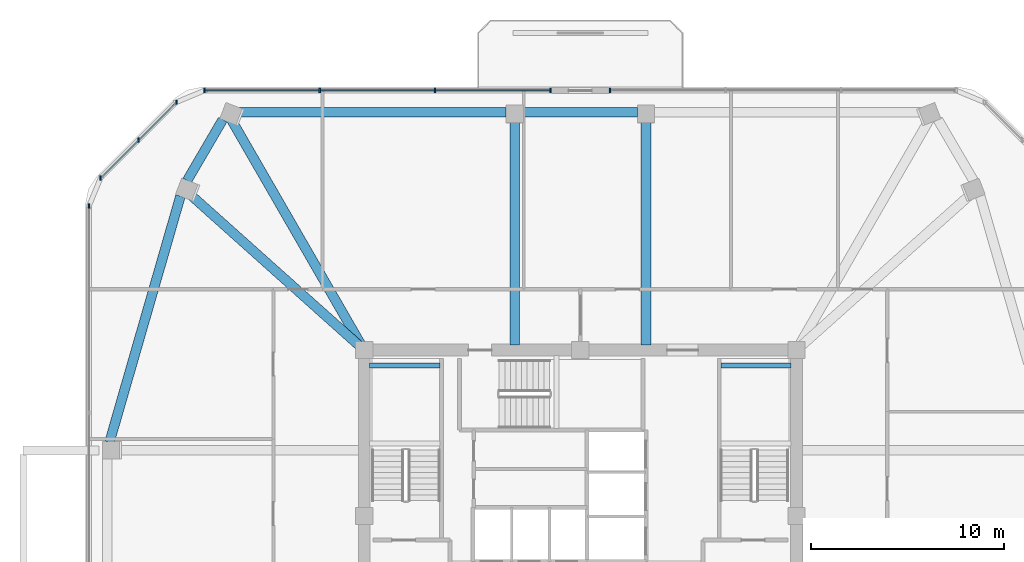
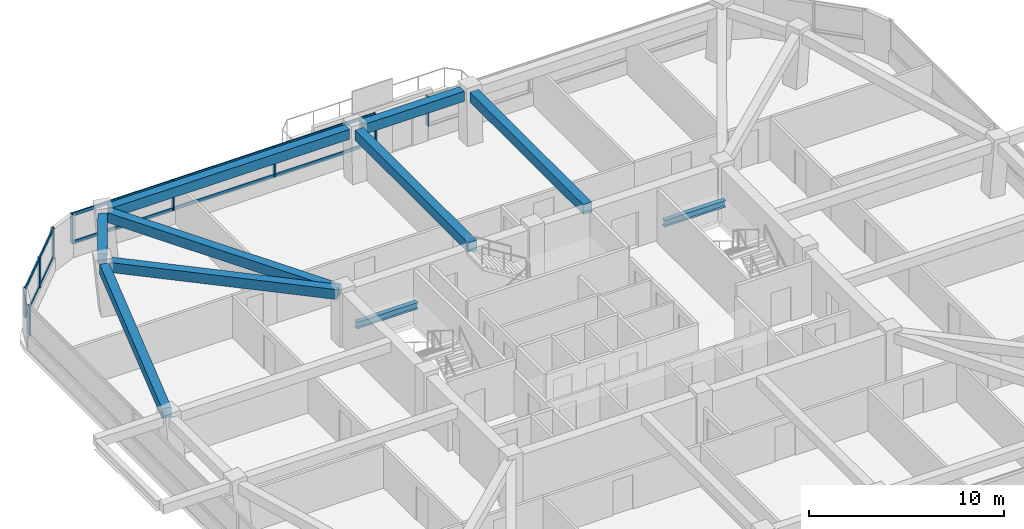
# One storey, part 5 of 12: 13 members, 10 beams, 4 elements without a shape of their own.
"""IFC4 building model written with IfcOpenShell, lengths in metres."""

from ifc_helpers import new_model, si_unit, derived_unit, direction, frame, origin, origin_2d, place, context, subcontext, project, spatial, rectangle, i_section, extrude, material, material_profile, profile_set, type_object, element, aggregate, save


model = new_model("IFC4")

# Units and contexts
model_context = context("Model", 3, precision=1e-05, world=origin(), true_north=direction((0.0, 1.0)))
body_context = subcontext(model_context, "Body", "Model", "MODEL_VIEW")
ifc_project = project(units=[si_unit("LENGTHUNIT", "METRE"), si_unit("AREAUNIT", "SQUARE_METRE"), si_unit("VOLUMEUNIT", "CUBIC_METRE"), si_unit("PLANEANGLEUNIT", "RADIAN"), si_unit("MASSUNIT", "GRAM", prefix="KILO"), derived_unit("THERMALTRANSMITTANCEUNIT", [(si_unit("POWERUNIT", "WATT"), 1), (si_unit("LENGTHUNIT", "METRE"), -2), (si_unit("THERMODYNAMICTEMPERATUREUNIT", "KELVIN"), -1)])], contexts=[model_context])

# Site, building, storey
site_placement = place(None, origin())
site = spatial("IfcSite", under=ifc_project, at=site_placement, CompositionType="ELEMENT")
building_placement = place(site_placement, origin())
building = spatial("IfcBuilding", under=site, at=building_placement, Name="Koralith Skygarden Medical Center", CompositionType="ELEMENT")
storey_placement = place(building_placement, frame((0.0, 0.0, 203.580078125)))
storey = spatial("IfcBuildingStorey", under=building, at=storey_placement, Name="L52", CompositionType="ELEMENT", Elevation=203.580078125)

# Curtain wall, member
ifc_material_1 = material(Name="Clear Laminated Glass", Category="glass")
curtain_wall_type = type_object("IfcCurtainWallType", Name="CW-5 Zone 4 Flare Biophilic Curtain Wall", PredefinedType="NOTDEFINED", material=ifc_material_1)
curtain_wall_1_placement = place(storey_placement, origin())
curtain_wall_1 = element("IfcCurtainWall", 1, at=curtain_wall_1_placement, inside=storey, type_object=curtain_wall_type, Name="Curtain Wall CW-L52-N-L", PredefinedType="NOTDEFINED")
ifc_material_2 = material(Name="Aluminium 6063-T6", Category="aluminium")
ifc_material_profile_1 = material_profile(ifc_material_2, rectangle(XDim=0.080078125, YDim=0.219970703125, at=origin_2d()), Name="MUL80X220")
ifc_profile_set_1 = profile_set([ifc_material_profile_1], Name="Aluminium 6063-T6")
member_type_1 = type_object("IfcMemberType", Name="CW-5 Extruded Mullion 80x220", PredefinedType="MULLION", material=ifc_profile_set_1)
member_1_placement = place(storey_placement, frame((38.5400390625, 47.94091796875, 0.849853515625), z_axis=(0.0, 0.0, 1.0), x_axis=(1.0, 0.0, 0.0)))
member_1 = element("IfcMember", 2, at=member_1_placement, type_object=member_type_1, Name="CW-L52-N-L Mullion 4", PredefinedType="MULLION", context=body_context, shape_type="SweptSolid", body=[
    extrude(rectangle(XDim=0.080078125, YDim=0.219970703125, at=origin_2d()), origin(), (0.0, 0.0, 1.0), 1.840087890625),
])
aggregate(curtain_wall_1, [member_1])

# Curtain wall, members
curtain_wall_2_placement = place(storey_placement, origin())
curtain_wall_2 = element("IfcCurtainWall", 3, at=curtain_wall_2_placement, inside=storey, type_object=curtain_wall_type, Name="Curtain Wall CW-L52-N-R", PredefinedType="NOTDEFINED")
member_2_placement = place(storey_placement, frame((35.4599609375, 47.94091796875, 0.849853515625), z_axis=(0.0, 0.0, 1.0), x_axis=(1.0, 0.0, 0.0)))
member_2 = element("IfcMember", 4, at=member_2_placement, type_object=member_type_1, Name="CW-L52-N-R Mullion 1", PredefinedType="MULLION", context=body_context, shape_type="SweptSolid", body=[
    extrude(rectangle(XDim=0.080078125, YDim=0.219970703125, at=origin_2d()), origin(), (0.0, 0.0, 1.0), 1.840087890625),
])
member_3_placement = place(storey_placement, frame((29.48193359375, 47.94091796875, 0.849853515625), z_axis=(0.0, 0.0, 1.0), x_axis=(1.0, 0.0, 0.0)))
member_3 = element("IfcMember", 5, at=member_3_placement, type_object=member_type_1, Name="CW-L52-N-R Mullion 2", PredefinedType="MULLION", context=body_context, shape_type="SweptSolid", body=[
    extrude(rectangle(XDim=0.080078125, YDim=0.219970703125, at=origin_2d()), origin(), (0.0, 0.0, 1.0), 1.840087890625),
])
member_4_placement = place(storey_placement, frame((23.5029296875, 47.94091796875, 0.849853515625), z_axis=(0.0, 0.0, 1.0), x_axis=(1.0, 0.0, 0.0)))
member_4 = element("IfcMember", 6, at=member_4_placement, type_object=member_type_1, Name="CW-L52-N-R Mullion 3", PredefinedType="MULLION", context=body_context, shape_type="SweptSolid", body=[
    extrude(rectangle(XDim=0.080078125, YDim=0.219970703125, at=origin_2d()), origin(), (0.0, 0.0, 1.0), 1.840087890625),
])
member_5_placement = place(storey_placement, frame((17.52490234375, 47.94091796875, 0.849853515625), z_axis=(0.0, 0.0, 1.0), x_axis=(1.0, 0.0, 0.0)))
member_5 = element("IfcMember", 7, at=member_5_placement, type_object=member_type_1, Name="CW-L52-N-R Mullion 4", PredefinedType="MULLION", context=body_context, shape_type="SweptSolid", body=[
    extrude(rectangle(XDim=0.080078125, YDim=0.219970703125, at=origin_2d()), origin(), (0.0, 0.0, 1.0), 1.840087890625),
])

curtain_wall_3_placement = place(storey_placement, origin())
curtain_wall_3 = element("IfcCurtainWall", 8, at=curtain_wall_3_placement, inside=storey, type_object=curtain_wall_type, Name="Curtain Wall CW-L52-NW", PredefinedType="NOTDEFINED")
member_6_placement = place(storey_placement, frame((16.073974609375, 47.340087890625, 0.849853515625), z_axis=(0.0, 0.0, 1.0), x_axis=(1.0, 0.0, 0.0)))
member_6 = element("IfcMember", 9, at=member_6_placement, type_object=member_type_1, Name="CW-L52-NW Mullion 1", PredefinedType="MULLION", context=body_context, shape_type="SweptSolid", body=[
    extrude(rectangle(XDim=0.080078125, YDim=0.219970703125, at=origin_2d()), origin(), (0.0, 0.0, 1.0), 1.840087890625),
])
member_7_placement = place(storey_placement, frame((14.113037109375, 45.37890625, 0.849853515625), z_axis=(0.0, 0.0, 1.0), x_axis=(1.0, 0.0, 0.0)))
member_7 = element("IfcMember", 10, at=member_7_placement, type_object=member_type_1, Name="CW-L52-NW Mullion 2", PredefinedType="MULLION", context=body_context, shape_type="SweptSolid", body=[
    extrude(rectangle(XDim=0.080078125, YDim=0.219970703125, at=origin_2d()), origin(), (0.0, 0.0, 1.0), 1.840087890625),
])
member_8_placement = place(storey_placement, frame((12.15087890625, 43.4169921875, 0.849853515625), z_axis=(0.0, 0.0, 1.0), x_axis=(1.0, 0.0, 0.0)))
member_8 = element("IfcMember", 11, at=member_8_placement, type_object=member_type_1, Name="CW-L52-NW Mullion 3", PredefinedType="MULLION", context=body_context, shape_type="SweptSolid", body=[
    extrude(rectangle(XDim=0.080078125, YDim=0.219970703125, at=origin_2d()), origin(), (0.0, 0.0, 1.0), 1.840087890625),
])

# Curtain wall, member
curtain_wall_4_placement = place(storey_placement, origin())
curtain_wall_4 = element("IfcCurtainWall", 12, at=curtain_wall_4_placement, inside=storey, type_object=curtain_wall_type, Name="Curtain Wall CW-L52-W", PredefinedType="NOTDEFINED")
member_9_placement = place(storey_placement, frame((11.549072265625, 41.966064453125, 0.849853515625), z_axis=(0.0, 0.0, 1.0), x_axis=(1.0, 0.0, 0.0)))
member_9 = element("IfcMember", 13, at=member_9_placement, type_object=member_type_1, Name="CW-L52-W Mullion 1", PredefinedType="MULLION", context=body_context, shape_type="SweptSolid", body=[
    extrude(rectangle(XDim=0.080078125, YDim=0.219970703125, at=origin_2d()), origin(), (0.0, 0.0, 1.0), 1.840087890625),
])
aggregate(curtain_wall_4, [member_9])

# Member
ifc_material_profile_2 = material_profile(ifc_material_2, rectangle(XDim=0.074951171875, YDim=0.197998046875, at=origin_2d()), Name="TRN75X198")
ifc_profile_set_2 = profile_set([ifc_material_profile_2], Name="Aluminium 6063-T6")
member_type_2 = type_object("IfcMemberType", Name="CW-5 Thermal Transom 75x198", PredefinedType="USERDEFINED", material=ifc_profile_set_2)
member_10_placement = place(storey_placement, frame((35.4599609375, 47.94091796875, 0.89990234375), z_axis=(-1.0, 0.0, 0.0), x_axis=(0.0, -1.0, 0.0)))
member_10 = element("IfcMember", 14, at=member_10_placement, type_object=member_type_2, Name="CW-L52-N-R Transom 1", ObjectType="TRANSOM", PredefinedType="USERDEFINED", context=body_context, shape_type="SweptSolid", body=[
    extrude(rectangle(XDim=0.074951171875, YDim=0.197998046875, at=origin_2d()), origin(), (0.0, 0.0, 1.0), 17.93505859375),
])

member_11_placement = place(storey_placement, frame((35.4599609375, 47.94091796875, 2.639892578125), z_axis=(-1.0, 0.0, 0.0), x_axis=(0.0, -1.0, 0.0)))
member_11 = element("IfcMember", 15, at=member_11_placement, type_object=member_type_2, Name="CW-L52-N-R Transom 2", ObjectType="TRANSOM", PredefinedType="USERDEFINED", context=body_context, shape_type="SweptSolid", body=[
    extrude(rectangle(XDim=0.074951171875, YDim=0.197998046875, at=origin_2d()), origin(), (0.0, 0.0, 1.0), 17.93505859375),
])

aggregate(curtain_wall_2, [member_2, member_3, member_4, member_5, member_10, member_11])

member_12_placement = place(storey_placement, frame((16.073974609375, 47.340087890625, 0.89990234375), z_axis=(-0.707106781187, -0.707106781187, 0.0), x_axis=(0.707106781187, -0.707106781187, 0.0)))
member_12 = element("IfcMember", 16, at=member_12_placement, type_object=member_type_2, Name="CW-L52-NW Transom 1", ObjectType="TRANSOM", PredefinedType="USERDEFINED", context=body_context, shape_type="SweptSolid", body=[
    extrude(rectangle(XDim=0.074951171875, YDim=0.197998046875, at=origin_2d()), origin(), (0.0, 0.0, 1.0), 5.548095703125),
])

member_13_placement = place(storey_placement, frame((16.073974609375, 47.340087890625, 2.639892578125), z_axis=(-0.707106781187, -0.707106781187, 0.0), x_axis=(0.707106781187, -0.707106781187, 0.0)))
member_13 = element("IfcMember", 17, at=member_13_placement, type_object=member_type_2, Name="CW-L52-NW Transom 2", ObjectType="TRANSOM", PredefinedType="USERDEFINED", context=body_context, shape_type="SweptSolid", body=[
    extrude(rectangle(XDim=0.074951171875, YDim=0.197998046875, at=origin_2d()), origin(), (0.0, 0.0, 1.0), 5.548095703125),
])

aggregate(curtain_wall_3, [member_6, member_7, member_8, member_12, member_13])

# Beams
ifc_material_3 = material(Name="Steel ASTM A992 Grade 50", Category="steel")
ifc_material_profile_3 = material_profile(ifc_material_3, i_section(OverallWidth=0.260009765625, OverallDepth=0.4150390625, WebThickness=0.010009765625, FlangeThickness=0.016845703125, at=origin_2d()), Name="W16X67")
ifc_profile_set_3 = profile_set([ifc_material_profile_3], Name="Steel ASTM A992 Grade 50")
beam_type_1 = type_object("IfcBeamType", Name="Clinical Floor Joist W16X67", PredefinedType="JOIST", material=ifc_profile_set_3)
for number, where, z_axis, x_axis, name in (
    (18, (26.080078125, 33.699951171875, 1.391845703125), (1.0, 0.0, 0.0), (0.0, 1.0, 0.0), "L52 Stair ST1 Half-Landing Support Beam 1B"),
    (19, (44.280029296875, 33.699951171875, 1.391845703125), (1.0, 0.0, 0.0), (0.0, 1.0, 0.0), "L52 Stair ST2 Half-Landing Support Beam 1B"),
):
    element("IfcBeam", number, at=place(storey_placement, frame(where, z_axis=z_axis, x_axis=x_axis)), inside=storey, type_object=beam_type_1, Name=name, PredefinedType="JOIST", context=body_context, shape_type="SweptSolid", body=[
        extrude(i_section(OverallWidth=0.260009765625, OverallDepth=0.4150390625, WebThickness=0.010009765625, FlangeThickness=0.016845703125, at=origin_2d()), origin(), (0.0, 0.0, 1.0), 3.639892578125),
    ])
ifc_material_4 = material(Name="Concrete C45/55", Category="concrete")
ifc_material_profile_4 = material_profile(ifc_material_4, rectangle(XDim=0.5, YDim=0.6201171875, at=origin_2d()), Name="RCB500X620")
ifc_profile_set_4 = profile_set([ifc_material_profile_4], Name="Concrete C45/55")
beam_type_2 = type_object("IfcBeamType", Name="Upper Radial Collector Beam RCB500X620", PredefinedType="BEAM", material=ifc_profile_set_4)
for number, where, z_axis, x_axis, name in (
    (20, (40.39990234375, 34.75, 3.010009765625), (0.0, 1.0, 0.0), (-1.0, 0.0, 0.0), "L52 Radial Collector Beam RB-12"),
    (21, (33.60009765625, 34.75, 3.010009765625), (0.0, 1.0, 0.0), (-1.0, 0.0, 0.0), "L52 Radial Collector Beam RB-13"),
):
    element("IfcBeam", number, at=place(storey_placement, frame(where, z_axis=z_axis, x_axis=x_axis)), inside=storey, type_object=beam_type_2, Name=name, PredefinedType="BEAM", context=body_context, shape_type="SweptSolid", body=[
        extrude(rectangle(XDim=0.5, YDim=0.6201171875, at=origin_2d()), origin(), (0.0, 0.0, 1.0), 11.626953125),
    ])
beam_1_placement = place(storey_placement, frame((25.675048828125, 34.717041015625, 3.010009765625), z_axis=(-0.499453165757, 0.866340888574, 0.0), x_axis=(-0.866340888574, -0.499453165757, 0.0)))
element("IfcBeam", 22, at=beam_1_placement, inside=storey, type_object=beam_type_2, Name="L52 Radial Collector Beam RB-14", PredefinedType="BEAM", context=body_context, shape_type="SweptSolid", body=[
    extrude(rectangle(XDim=0.5, YDim=0.6201171875, at=origin_2d()), origin(), (0.0, 0.0, 1.0), 13.527099609375),
])
beam_2_placement = place(storey_placement, frame((25.614013671875, 34.6669921875, 3.010009765625), z_axis=(-0.74550827496, 0.666496370557, 0.0), x_axis=(-0.666496370557, -0.74550827496, 0.0)))
element("IfcBeam", 23, at=beam_2_placement, inside=storey, type_object=beam_type_2, Name="L52 Radial Collector Beam RB-15", PredefinedType="BEAM", context=body_context, shape_type="SweptSolid", body=[
    extrude(rectangle(XDim=0.5, YDim=0.6201171875, at=origin_2d()), origin(), (0.0, 0.0, 1.0), 11.908447265625),
])
ifc_material_profile_5 = material_profile(ifc_material_4, rectangle(XDim=0.5, YDim=0.6201171875, at=origin_2d()), Name="RCB500X620")
ifc_profile_set_5 = profile_set([ifc_material_profile_5], Name="Concrete C45/55")
beam_type_3 = type_object("IfcBeamType", Name="Zone 4-5 Spandrel Beam RCB500X620", PredefinedType="SPANDREL", material=ifc_profile_set_5)
beam_3_placement = place(storey_placement, frame((39.9599609375, 46.81689453125, 3.010009765625), z_axis=(-1.0, 0.0, 0.0), x_axis=(0.0, -1.0, 0.0)))
element("IfcBeam", 24, at=beam_3_placement, inside=storey, type_object=beam_type_3, Name="L52 Perimeter Spandrel Beam SP-12", PredefinedType="SPANDREL", context=body_context, shape_type="SweptSolid", body=[
    extrude(rectangle(XDim=0.5, YDim=0.6201171875, at=origin_2d()), origin(), (0.0, 0.0, 1.0), 5.919921875),
])
beam_4_placement = place(storey_placement, frame((33.159912109375, 46.81689453125, 3.010009765625), z_axis=(-1.0, 0.0, 0.0), x_axis=(0.0, -1.0, 0.0)))
element("IfcBeam", 25, at=beam_4_placement, inside=storey, type_object=beam_type_3, Name="L52 Perimeter Spandrel Beam SP-13", PredefinedType="SPANDREL", context=body_context, shape_type="SweptSolid", body=[
    extrude(rectangle(XDim=0.5, YDim=0.6201171875, at=origin_2d()), origin(), (0.0, 0.0, 1.0), 14.02099609375),
])
beam_5_placement = place(storey_placement, frame((18.47705078125, 46.43701171875, 3.010009765625), z_axis=(-0.504662936205, -0.863316466205, 0.0), x_axis=(0.863316466205, -0.504662936205, 0.0)))
element("IfcBeam", 26, at=beam_5_placement, inside=storey, type_object=beam_type_3, Name="L52 Perimeter Spandrel Beam SP-14", PredefinedType="SPANDREL", context=body_context, shape_type="SweptSolid", body=[
    extrude(rectangle(XDim=0.5, YDim=0.6201171875, at=origin_2d()), origin(), (0.0, 0.0, 1.0), 3.66015625),
])
beam_6_placement = place(storey_placement, frame((16.285888671875, 42.47412109375, 3.010009765625), z_axis=(-0.277074752231, -0.9608483656, 0.0), x_axis=(0.9608483656, -0.277074752231, 0.0)))
element("IfcBeam", 27, at=beam_6_placement, inside=storey, type_object=beam_type_3, Name="L52 Perimeter Spandrel Beam SP-15", PredefinedType="SPANDREL", context=body_context, shape_type="SweptSolid", body=[
    extrude(rectangle(XDim=0.5, YDim=0.6201171875, at=origin_2d()), origin(), (0.0, 0.0, 1.0), 13.270751953125),
])

save(model, "model.ifc")
